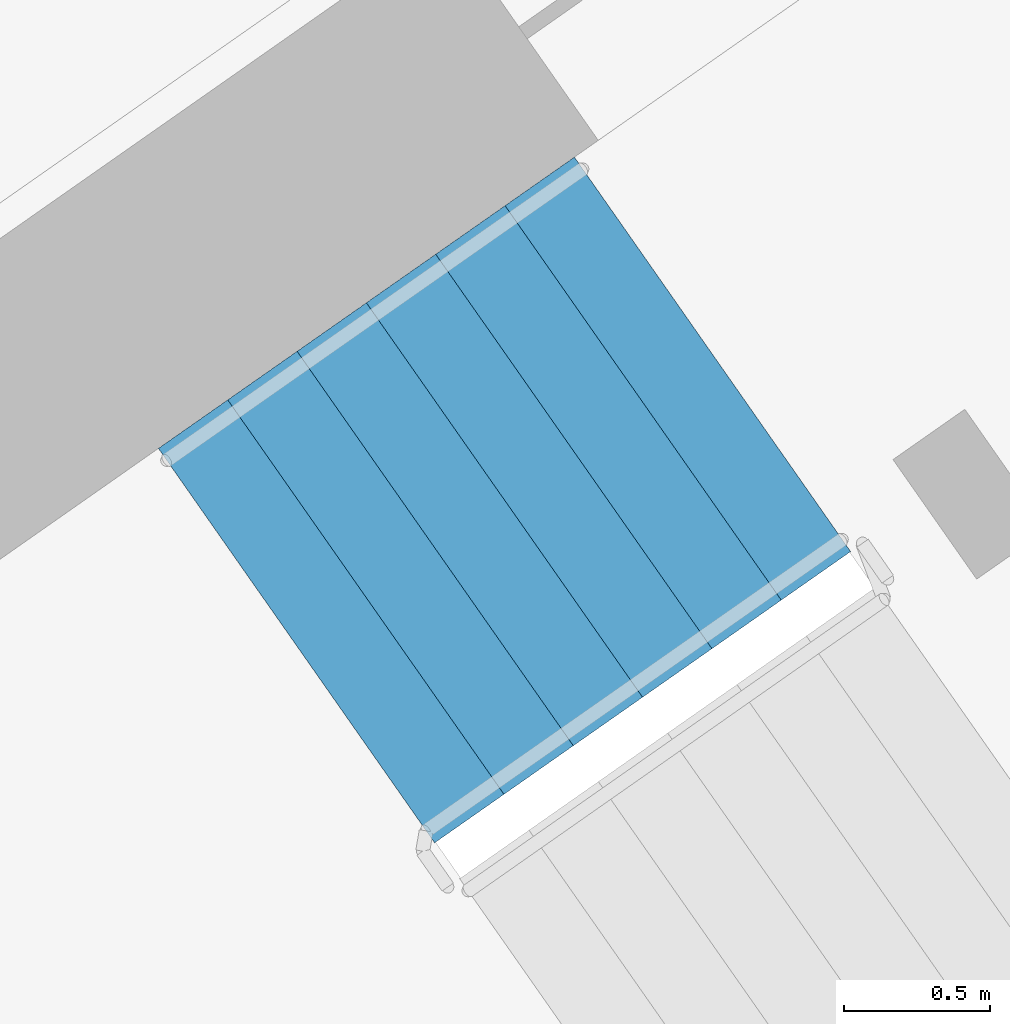
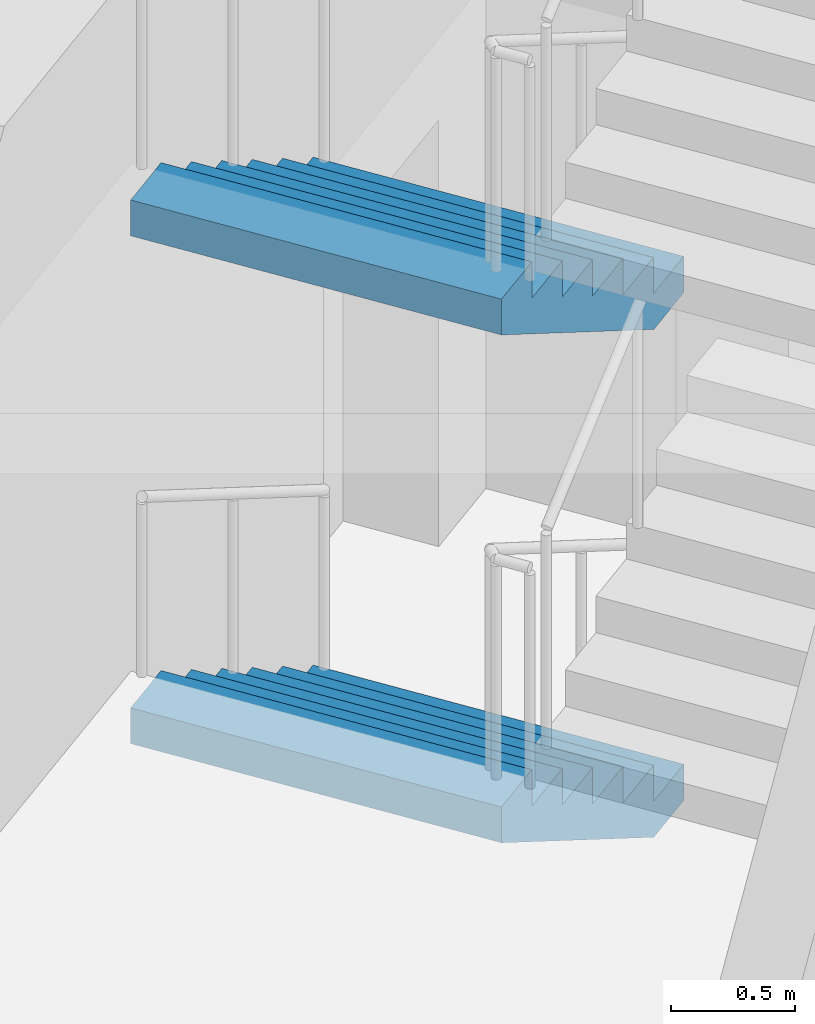
# One storey, part 18 of 25: 2 stair flights, 1 element without a shape of its own.
"""IFC4 building model written with IfcOpenShell, lengths in metres."""

import ifcopenshell
import ifcopenshell.guid

model = None  # the IFC model being written
_history = None  # IfcOwnerHistory: only IFC2X3 demands one
_inside = {}  # id of a spatial element -> (the spatial element, [elements in it])
_under = {}  # id of a project, library or spatial element -> (it, [spatial elements below it])
_declared = {}  # id of a project -> (the project, [libraries it declares])
_typed = {}  # id of a type object -> (the type object, [elements of that type])
_made_of = {}  # id of a material, layer set ... -> (it, [elements and type objects made of it])


def new_model(schema):
    """Start an empty IFC model of exactly this schema.

    Asked for "IFC4X3", IfcOpenShell would pick the latest addendum, in which some entities
    have other attributes; the version numbers below select the first issue.
    IFC2X3 requires an IfcOwnerHistory on every rooted entity: one is made here for all.
    """
    global model, _history
    if schema == "IFC4X3":
        model = ifcopenshell.file(schema_version=(4, 3, 0, 0))
    else:
        model = ifcopenshell.file(schema=schema)
    _inside.clear()
    _under.clear()
    _declared.clear()
    _typed.clear()
    _made_of.clear()
    _history = None
    if model.schema == "IFC2X3":
        org = make("IfcOrganization", Name="unknown")
        user = make(
            "IfcPersonAndOrganization",
            ThePerson=make("IfcPerson", FamilyName="unknown"),
            TheOrganization=org,
        )
        app = make(
            "IfcApplication",
            ApplicationDeveloper=org,
            Version="unknown",
            ApplicationFullName="unknown",
            ApplicationIdentifier="unknown",
        )
        _history = make(
            "IfcOwnerHistory",
            OwningUser=user,
            OwningApplication=app,
            ChangeAction="ADDED",
            CreationDate=0,
        )
    return model


def make(cls, **values):
    """One entity of the class cls with the attributes given. An attribute that is None is left unset."""
    return model.create_entity(
        cls, **{name: value for name, value in values.items() if value is not None}
    )


def rooted(cls, **values):
    """An entity with a GlobalId (a new one), such as an element, a storey or a relation."""
    return make(cls, GlobalId=ifcopenshell.guid.new(), OwnerHistory=_history, **values)


def si_unit(unit_type, name, prefix=None):
    """IfcSIUnit, for example si_unit("LENGTHUNIT", "METRE", prefix="MILLI")."""
    return make("IfcSIUnit", UnitType=unit_type, Prefix=prefix, Name=name)


def assignment(units):
    """IfcUnitAssignment: the units of a project."""
    return None if units is None else make("IfcUnitAssignment", Units=units)


def point(xyz):
    """IfcCartesianPoint."""
    return None if xyz is None else make("IfcCartesianPoint", Coordinates=xyz)


def direction(xyz):
    """IfcDirection."""
    return None if xyz is None else make("IfcDirection", DirectionRatios=xyz)


def frame(location, z_axis=None, x_axis=None):
    """IfcAxis2Placement3D, a coordinate frame: its origin and axes. An axis left out is left unset."""
    return make(
        "IfcAxis2Placement3D",
        Location=point(location),
        Axis=direction(z_axis),
        RefDirection=direction(x_axis),
    )


def origin():
    """The frame at (0, 0, 0) with its axes left unset."""
    return frame((0.0, 0.0, 0.0))


def place(relative_to, where):
    """IfcLocalPlacement: puts the frame where relative to a parent placement (None: the world)."""
    return make(
        "IfcLocalPlacement", PlacementRelTo=relative_to, RelativePlacement=where
    )


def context(
    kind, dimensions, precision=None, world=None, true_north=None, identifier=None
):
    """IfcGeometricRepresentationContext, for example the 3D "Model" context."""
    return make(
        "IfcGeometricRepresentationContext",
        ContextIdentifier=identifier,
        ContextType=kind,
        CoordinateSpaceDimension=dimensions,
        Precision=precision,
        WorldCoordinateSystem=world,
        TrueNorth=true_north,
    )


def subcontext(parent, identifier, kind, view, scale=None):
    """IfcGeometricRepresentationSubContext, for example "Body" below "Model"."""
    return make(
        "IfcGeometricRepresentationSubContext",
        ContextIdentifier=identifier,
        ContextType=kind,
        ParentContext=parent,
        TargetScale=scale,
        TargetView=view,
    )


def project(units=None, contexts=None):
    """IfcProject with its units and contexts."""
    return rooted(
        "IfcProject",
        Name="project",
        RepresentationContexts=contexts,
        UnitsInContext=assignment(units),
    )


def spatial(cls, under=None, at=None, **own):
    """A site, building, storey or space (cls), placed at a placement, below another one or the project."""
    s = rooted(cls, ObjectPlacement=at, **own)
    if under is not None:
        _under.setdefault(under.id(), (under, []))[1].append(s)
    return s


def faces_of(points, faces, orient=None, outer=None):
    """IfcFace entities. A face is a list of loops; a loop is a list of indices into points, from 0.

    orient and outer hold one flag for each loop. By default every Orientation is true, the
    first loop of a face is its IfcFaceOuterBound and the others are IfcFaceBound.
    """
    made = []
    for i, loops in enumerate(faces):
        bounds = []
        for j, loop in enumerate(loops):
            is_outer = j == 0 if outer is None else outer[i][j]
            bounds.append(
                make(
                    "IfcFaceOuterBound" if is_outer else "IfcFaceBound",
                    Bound=make("IfcPolyLoop", Polygon=[points[k] for k in loop]),
                    Orientation=True if orient is None else orient[i][j],
                )
            )
        made.append(make("IfcFace", Bounds=bounds))
    return made


def faceted_brep(points, faces, orient=None, outer=None, voids=None):
    """IfcFacetedBrep: a solid bounded by flat faces; with voids (closed shells), ...WithVoids."""
    shared = [point(p) for p in points]
    hull = make("IfcClosedShell", CfsFaces=faces_of(shared, faces, orient, outer))
    if voids is None:
        return make("IfcFacetedBrep", Outer=hull)
    return make(
        "IfcFacetedBrepWithVoids",
        Outer=hull,
        Voids=[
            make(cls, CfsFaces=faces_of(shared, fs, o, b)) for cls, fs, o, b in voids
        ],
    )


def shape(context_of_items, identifier, shape_type, items):
    """IfcShapeRepresentation: the items that make up one representation, for example the "Body"."""
    return make(
        "IfcShapeRepresentation",
        ContextOfItems=context_of_items,
        RepresentationIdentifier=identifier,
        RepresentationType=shape_type,
        Items=items,
    )


def material(Name=None, Category=None):
    """IfcMaterial."""
    return make("IfcMaterial", Name=Name, Category=Category)


def made_of(thing, what):
    """Note that an element or type object is made of a material, layer set ...; save() writes the relation."""
    if what is not None:
        _made_of.setdefault(what.id(), (what, []))[1].append(thing)
    return thing


def type_object(cls, material=None, **own):
    """A type object (cls), such as IfcWallType, which elements share."""
    return made_of(rooted(cls, **own), material)


def element(
    cls,
    number,
    at=None,
    inside=None,
    cuts=None,
    type_object=None,
    material=None,
    context=None,
    identifier="Body",
    shape_type=None,
    held_by="IfcProductDefinitionShape",
    body=None,
    shapes=None,
    **own,
):
    """One element of the class cls, such as IfcWall. Its Tag is "e" and its number.

    at: its placement. inside: the storey or other place that contains it. cuts: it is an
    opening in that element (IfcRelVoidsElement). A single representation is given by context,
    identifier, shape_type and body (its items); several are given by shapes. held_by: the class
    of the entity that holds the representations. save() writes the other relations.
    """
    e = rooted(cls, Tag="e%d" % number, ObjectPlacement=at, **own)
    if body is not None:
        shapes = [shape(context, identifier, shape_type, body)]
    if shapes is not None:
        e.Representation = make(held_by, Representations=shapes)
    if inside is not None:
        _inside.setdefault(inside.id(), (inside, []))[1].append(e)
    if cuts is not None:
        rooted(
            "IfcRelVoidsElement", RelatingBuildingElement=cuts, RelatedOpeningElement=e
        )
    if type_object is not None:
        _typed.setdefault(type_object.id(), (type_object, []))[1].append(e)
    return made_of(e, material)


def aggregate(whole, parts):
    """IfcRelAggregates: a whole, such as a stair, and the parts it consists of."""
    return rooted("IfcRelAggregates", RelatingObject=whole, RelatedObjects=parts)


def save(model, path):
    """Write the relations noted so far, then the file.

    IfcRelAggregates (storeys below a building ...), IfcRelContainedInSpatialStructure (elements
    in a storey), IfcRelDefinesByType, IfcRelAssociatesMaterial and IfcRelDeclares: one each for
    every whole, place, type object, material and project.
    """
    for whole, parts in _under.values():
        aggregate(whole, parts)
    for where, things in _inside.values():
        rooted(
            "IfcRelContainedInSpatialStructure",
            RelatedElements=things,
            RelatingStructure=where,
        )
    for kind, things in _typed.values():
        rooted("IfcRelDefinesByType", RelatedObjects=things, RelatingType=kind)
    for what, things in _made_of.values():
        rooted("IfcRelAssociatesMaterial", RelatedObjects=things, RelatingMaterial=what)
    for by, libraries in _declared.values():
        rooted("IfcRelDeclares", RelatingContext=by, RelatedDefinitions=libraries)
    model.write(path)


model = new_model("IFC4")

# Units and contexts
model_context = context("Model", 3, precision=1e-05, world=origin(), true_north=direction((0.0, 1.0)))
body_context = subcontext(model_context, "Body", "Model", "MODEL_VIEW")
ifc_project = project(units=[si_unit("LENGTHUNIT", "METRE"), si_unit("AREAUNIT", "SQUARE_METRE"), si_unit("VOLUMEUNIT", "CUBIC_METRE"), si_unit("PLANEANGLEUNIT", "RADIAN"), si_unit("MASSUNIT", "GRAM", prefix="KILO")], contexts=[model_context])

# Site, building, storey
site_placement = place(None, origin())
site = spatial("IfcSite", under=ifc_project, at=site_placement, CompositionType="ELEMENT")
building_placement = place(site_placement, origin())
building = spatial("IfcBuilding", under=site, at=building_placement, Name="Qamariyya Broadcast Tower", CompositionType="ELEMENT")
storey_placement = place(building_placement, frame((0.0, 0.0, 89.89990234375)))
storey = spatial("IfcBuildingStorey", under=building, at=storey_placement, Name="L19", CompositionType="ELEMENT", Elevation=89.89990234375)

# Stair, stair flights
ifc_material = material(Name="Concrete C50/60", Category="concrete")
stair_type = type_object("IfcStairType", Name="Exit stair 28 risers of 179 mm", PredefinedType="HALF_TURN_STAIR", material=ifc_material)
stair_placement = place(storey_placement, origin())
stair = element("IfcStair", 1, at=stair_placement, inside=storey, type_object=stair_type, Name="L19 Stair E2", PredefinedType="HALF_TURN_STAIR")
stair_flight_type = type_object("IfcStairFlightType", Name="Exit stair flight 7 risers of 179 mm", PredefinedType="STRAIGHT", material=ifc_material)
stair_flight_1_placement = place(storey_placement, frame((40.558837890625, -47.685302734375, 0.0), z_axis=(0.0, 0.0, 1.0), x_axis=(-0.819152044289, -0.573576436351, 0.0)))
stair_flight_1 = element("IfcStairFlight", 2, at=stair_flight_1_placement, type_object=stair_flight_type, Name="ST-E2 flight 1", NumberOfRisers=7, NumberOfTreads=6, PredefinedType="STRAIGHT", RiserHeight=0.178571429, TreadLength=0.29, context=body_context, shape_type="Brep", body=[
    faceted_brep([(0.0, 0.824951171875, 0.0), (0.0, 0.824951171875, 0.178466796875), (0.2900390625, 0.824951171875, 0.178466796875), (0.2900390625, 0.824951171875, 0.357177734375), (0.580078125, 0.824951171875, 0.357177734375), (0.580078125, 0.824951171875, 0.53564453125), (0.8701171875, 0.824951171875, 0.53564453125), (0.8701171875, 0.824951171875, 0.71435546875), (1.159912109375, 0.824951171875, 0.71435546875), (1.159912109375, 0.824951171875, 0.892822265625), (1.449951171875, 0.824951171875, 0.892822265625), (1.449951171875, 0.824951171875, 1.071533203125), (1.739990234375, 0.824951171875, 1.071533203125), (1.739990234375, 0.824951171875, 0.8955078125), (0.285888671875, 0.824951171875, 0.0), (0.285888671875, -0.824951171875, 0.0), (1.739990234375, -0.824951171875, 0.8955078125), (1.739990234375, -0.824951171875, 1.071533203125), (1.449951171875, -0.824951171875, 1.071533203125), (1.449951171875, -0.824951171875, 0.892822265625), (1.159912109375, -0.824951171875, 0.892822265625), (1.159912109375, -0.824951171875, 0.71435546875), (0.8701171875, -0.824951171875, 0.71435546875), (0.8701171875, -0.824951171875, 0.53564453125), (0.580078125, -0.824951171875, 0.53564453125), (0.580078125, -0.824951171875, 0.357177734375), (0.2900390625, -0.824951171875, 0.357177734375), (0.2900390625, -0.824951171875, 0.178466796875), (0.0, -0.824951171875, 0.178466796875), (0.0, -0.824951171875, 0.0), (0.0, 0.10009765625, 0.0), (0.0, 0.086669921875, 0.0), (0.0, 0.0732421875, 0.0), (0.0, 0.06005859375, 0.0), (0.0, 0.046630859375, 0.0), (0.0, 0.033447265625, 0.0), (0.0, 0.02001953125, 0.0), (0.0, 0.006591796875, 0.0), (0.0, -0.006591796875, 0.0), (0.0, -0.02001953125, 0.0), (0.0, -0.033447265625, 0.0), (0.0, -0.046630859375, 0.0), (0.0, -0.06005859375, 0.0), (0.0, -0.0732421875, 0.0), (0.0, -0.086669921875, 0.0), (0.0, -0.10009765625, 0.0), (0.0, -0.10009765625, 0.178466796875), (0.0, -0.086669921875, 0.178466796875), (0.0, -0.0732421875, 0.178466796875), (0.0, -0.06005859375, 0.178466796875), (0.0, -0.046630859375, 0.178466796875), (0.0, -0.033447265625, 0.178466796875), (0.0, -0.02001953125, 0.178466796875), (0.0, -0.006591796875, 0.178466796875), (0.0, 0.006591796875, 0.178466796875), (0.0, 0.02001953125, 0.178466796875), (0.0, 0.033447265625, 0.178466796875), (0.0, 0.046630859375, 0.178466796875), (0.0, 0.06005859375, 0.178466796875), (0.0, 0.0732421875, 0.178466796875), (0.0, 0.086669921875, 0.178466796875), (0.0, 0.10009765625, 0.178466796875), (0.2900390625, -0.10009765625, 0.178466796875), (0.2900390625, -0.086669921875, 0.178466796875), (0.2900390625, -0.0732421875, 0.178466796875), (0.2900390625, -0.06005859375, 0.178466796875), (0.2900390625, -0.046630859375, 0.178466796875), (0.2900390625, -0.033447265625, 0.178466796875), (0.2900390625, -0.02001953125, 0.178466796875), (0.2900390625, -0.006591796875, 0.178466796875), (0.2900390625, 0.006591796875, 0.178466796875), (0.2900390625, 0.02001953125, 0.178466796875), (0.2900390625, 0.033447265625, 0.178466796875), (0.2900390625, 0.046630859375, 0.178466796875), (0.2900390625, 0.06005859375, 0.178466796875), (0.2900390625, 0.0732421875, 0.178466796875), (0.2900390625, 0.086669921875, 0.178466796875), (0.2900390625, 0.10009765625, 0.178466796875), (0.2900390625, -0.10009765625, 0.357177734375), (0.2900390625, -0.086669921875, 0.357177734375), (0.2900390625, -0.0732421875, 0.357177734375), (0.2900390625, -0.06005859375, 0.357177734375), (0.2900390625, -0.046630859375, 0.357177734375), (0.2900390625, -0.033447265625, 0.357177734375), (0.2900390625, -0.02001953125, 0.357177734375), (0.2900390625, -0.006591796875, 0.357177734375), (0.2900390625, 0.006591796875, 0.357177734375), (0.2900390625, 0.02001953125, 0.357177734375), (0.2900390625, 0.033447265625, 0.357177734375), (0.2900390625, 0.046630859375, 0.357177734375), (0.2900390625, 0.06005859375, 0.357177734375), (0.2900390625, 0.0732421875, 0.357177734375), (0.2900390625, 0.086669921875, 0.357177734375), (0.2900390625, 0.10009765625, 0.357177734375), (0.580078125, -0.10009765625, 0.357177734375), (0.580078125, -0.086669921875, 0.357177734375), (0.580078125, -0.0732421875, 0.357177734375), (0.580078125, -0.06005859375, 0.357177734375), (0.580078125, -0.046630859375, 0.357177734375), (0.580078125, -0.033447265625, 0.357177734375), (0.580078125, -0.02001953125, 0.357177734375), (0.580078125, -0.006591796875, 0.357177734375), (0.580078125, 0.006591796875, 0.357177734375), (0.580078125, 0.02001953125, 0.357177734375), (0.580078125, 0.033447265625, 0.357177734375), (0.580078125, 0.046630859375, 0.357177734375), (0.580078125, 0.06005859375, 0.357177734375), (0.580078125, 0.0732421875, 0.357177734375), (0.580078125, 0.086669921875, 0.357177734375), (0.580078125, 0.10009765625, 0.357177734375), (0.580078125, -0.10009765625, 0.53564453125), (0.580078125, -0.086669921875, 0.53564453125), (0.580078125, -0.0732421875, 0.53564453125), (0.580078125, -0.06005859375, 0.53564453125), (0.580078125, -0.046630859375, 0.53564453125), (0.580078125, -0.033447265625, 0.53564453125), (0.580078125, -0.02001953125, 0.53564453125), (0.580078125, -0.006591796875, 0.53564453125), (0.580078125, 0.006591796875, 0.53564453125), (0.580078125, 0.02001953125, 0.53564453125), (0.580078125, 0.033447265625, 0.53564453125), (0.580078125, 0.046630859375, 0.53564453125), (0.580078125, 0.06005859375, 0.53564453125), (0.580078125, 0.0732421875, 0.53564453125), (0.580078125, 0.086669921875, 0.53564453125), (0.580078125, 0.10009765625, 0.53564453125), (0.8701171875, -0.10009765625, 0.53564453125), (0.8701171875, -0.086669921875, 0.53564453125), (0.8701171875, -0.0732421875, 0.53564453125), (0.8701171875, -0.06005859375, 0.53564453125), (0.8701171875, -0.046630859375, 0.53564453125), (0.8701171875, -0.033447265625, 0.53564453125), (0.8701171875, -0.02001953125, 0.53564453125), (0.8701171875, -0.006591796875, 0.53564453125), (0.8701171875, 0.006591796875, 0.53564453125), (0.8701171875, 0.02001953125, 0.53564453125), (0.8701171875, 0.033447265625, 0.53564453125), (0.8701171875, 0.046630859375, 0.53564453125), (0.8701171875, 0.06005859375, 0.53564453125), (0.8701171875, 0.0732421875, 0.53564453125), (0.8701171875, 0.086669921875, 0.53564453125), (0.8701171875, 0.10009765625, 0.53564453125), (0.8701171875, -0.10009765625, 0.71435546875), (0.8701171875, -0.086669921875, 0.71435546875), (0.8701171875, -0.0732421875, 0.71435546875), (0.8701171875, -0.06005859375, 0.71435546875), (0.8701171875, -0.046630859375, 0.71435546875), (0.8701171875, -0.033447265625, 0.71435546875), (0.8701171875, -0.02001953125, 0.71435546875), (0.8701171875, -0.006591796875, 0.71435546875), (0.8701171875, 0.006591796875, 0.71435546875), (0.8701171875, 0.02001953125, 0.71435546875), (0.8701171875, 0.033447265625, 0.71435546875), (0.8701171875, 0.046630859375, 0.71435546875), (0.8701171875, 0.06005859375, 0.71435546875), (0.8701171875, 0.0732421875, 0.71435546875), (0.8701171875, 0.086669921875, 0.71435546875), (0.8701171875, 0.10009765625, 0.71435546875), (1.159912109375, -0.10009765625, 0.71435546875), (1.159912109375, -0.086669921875, 0.71435546875), (1.159912109375, -0.0732421875, 0.71435546875), (1.159912109375, -0.06005859375, 0.71435546875), (1.159912109375, -0.046630859375, 0.71435546875), (1.159912109375, -0.033447265625, 0.71435546875), (1.159912109375, -0.02001953125, 0.71435546875), (1.159912109375, -0.006591796875, 0.71435546875), (1.159912109375, 0.006591796875, 0.71435546875), (1.159912109375, 0.02001953125, 0.71435546875), (1.159912109375, 0.033447265625, 0.71435546875), (1.159912109375, 0.046630859375, 0.71435546875), (1.159912109375, 0.06005859375, 0.71435546875), (1.159912109375, 0.0732421875, 0.71435546875), (1.159912109375, 0.086669921875, 0.71435546875), (1.159912109375, 0.10009765625, 0.71435546875), (1.159912109375, -0.10009765625, 0.892822265625), (1.159912109375, -0.086669921875, 0.892822265625), (1.159912109375, -0.0732421875, 0.892822265625), (1.159912109375, -0.06005859375, 0.892822265625), (1.159912109375, -0.046630859375, 0.892822265625), (1.159912109375, -0.033447265625, 0.892822265625), (1.159912109375, -0.02001953125, 0.892822265625), (1.159912109375, -0.006591796875, 0.892822265625), (1.159912109375, 0.006591796875, 0.892822265625), (1.159912109375, 0.02001953125, 0.892822265625), (1.159912109375, 0.033447265625, 0.892822265625), (1.159912109375, 0.046630859375, 0.892822265625), (1.159912109375, 0.06005859375, 0.892822265625), (1.159912109375, 0.0732421875, 0.892822265625), (1.159912109375, 0.086669921875, 0.892822265625), (1.159912109375, 0.10009765625, 0.892822265625), (1.449951171875, -0.10009765625, 0.892822265625), (1.449951171875, -0.086669921875, 0.892822265625), (1.449951171875, -0.0732421875, 0.892822265625), (1.449951171875, -0.06005859375, 0.892822265625), (1.449951171875, -0.046630859375, 0.892822265625), (1.449951171875, -0.033447265625, 0.892822265625), (1.449951171875, -0.02001953125, 0.892822265625), (1.449951171875, -0.006591796875, 0.892822265625), (1.449951171875, 0.006591796875, 0.892822265625), (1.449951171875, 0.02001953125, 0.892822265625), (1.449951171875, 0.033447265625, 0.892822265625), (1.449951171875, 0.046630859375, 0.892822265625), (1.449951171875, 0.06005859375, 0.892822265625), (1.449951171875, 0.0732421875, 0.892822265625), (1.449951171875, 0.086669921875, 0.892822265625), (1.449951171875, 0.10009765625, 0.892822265625), (1.449951171875, -0.10009765625, 1.071533203125), (1.449951171875, -0.086669921875, 1.071533203125), (1.449951171875, -0.0732421875, 1.071533203125), (1.449951171875, -0.06005859375, 1.071533203125), (1.449951171875, -0.046630859375, 1.071533203125), (1.449951171875, -0.033447265625, 1.071533203125), (1.449951171875, -0.02001953125, 1.071533203125), (1.449951171875, -0.006591796875, 1.071533203125), (1.449951171875, 0.006591796875, 1.071533203125), (1.449951171875, 0.02001953125, 1.071533203125), (1.449951171875, 0.033447265625, 1.071533203125), (1.449951171875, 0.046630859375, 1.071533203125), (1.449951171875, 0.06005859375, 1.071533203125), (1.449951171875, 0.0732421875, 1.071533203125), (1.449951171875, 0.086669921875, 1.071533203125), (1.449951171875, 0.10009765625, 1.071533203125), (1.739990234375, -0.10009765625, 1.071533203125), (1.739990234375, -0.086669921875, 1.071533203125), (1.739990234375, -0.0732421875, 1.071533203125), (1.739990234375, -0.06005859375, 1.071533203125), (1.739990234375, -0.046630859375, 1.071533203125), (1.739990234375, -0.033447265625, 1.071533203125), (1.739990234375, -0.02001953125, 1.071533203125), (1.739990234375, -0.006591796875, 1.071533203125), (1.739990234375, 0.006591796875, 1.071533203125), (1.739990234375, 0.02001953125, 1.071533203125), (1.739990234375, 0.033447265625, 1.071533203125), (1.739990234375, 0.046630859375, 1.071533203125), (1.739990234375, 0.06005859375, 1.071533203125), (1.739990234375, 0.0732421875, 1.071533203125), (1.739990234375, 0.086669921875, 1.071533203125), (1.739990234375, 0.10009765625, 1.071533203125), (1.739990234375, -0.10009765625, 0.8955078125), (1.739990234375, -0.086669921875, 0.8955078125), (1.739990234375, -0.0732421875, 0.8955078125), (1.739990234375, -0.06005859375, 0.8955078125), (1.739990234375, -0.046630859375, 0.8955078125), (1.739990234375, -0.033447265625, 0.8955078125), (1.739990234375, -0.02001953125, 0.8955078125), (1.739990234375, -0.006591796875, 0.8955078125), (1.739990234375, 0.006591796875, 0.8955078125), (1.739990234375, 0.02001953125, 0.8955078125), (1.739990234375, 0.033447265625, 0.8955078125), (1.739990234375, 0.046630859375, 0.8955078125), (1.739990234375, 0.06005859375, 0.8955078125), (1.739990234375, 0.0732421875, 0.8955078125), (1.739990234375, 0.086669921875, 0.8955078125), (1.739990234375, 0.10009765625, 0.8955078125), (0.285888671875, -0.10009765625, 0.0), (0.285888671875, -0.086669921875, 0.0), (0.285888671875, -0.0732421875, 0.0), (0.285888671875, -0.06005859375, 0.0), (0.285888671875, -0.046630859375, 0.0), (0.285888671875, -0.033447265625, 0.0), (0.285888671875, -0.02001953125, 0.0), (0.285888671875, -0.006591796875, 0.0), (0.285888671875, 0.006591796875, 0.0), (0.285888671875, 0.02001953125, 0.0), (0.285888671875, 0.033447265625, 0.0), (0.285888671875, 0.046630859375, 0.0), (0.285888671875, 0.06005859375, 0.0), (0.285888671875, 0.0732421875, 0.0), (0.285888671875, 0.086669921875, 0.0), (0.285888671875, 0.10009765625, 0.0)], [[[0, 1, 2, 3, 4, 5, 6, 7, 8, 9, 10, 11, 12, 13, 14]], [[15, 16, 17, 18, 19, 20, 21, 22, 23, 24, 25, 26, 27, 28, 29]], [[0, 30, 31, 32, 33, 34, 35, 36, 37, 38, 39, 40, 41, 42, 43, 44, 45, 29, 28, 46, 47, 48, 49, 50, 51, 52, 53, 54, 55, 56, 57, 58, 59, 60, 61, 1]], [[1, 61, 60, 59, 58, 57, 56, 55, 54, 53, 52, 51, 50, 49, 48, 47, 46, 28, 27, 62, 63, 64, 65, 66, 67, 68, 69, 70, 71, 72, 73, 74, 75, 76, 77, 2]], [[2, 77, 76, 75, 74, 73, 72, 71, 70, 69, 68, 67, 66, 65, 64, 63, 62, 27, 26, 78, 79, 80, 81, 82, 83, 84, 85, 86, 87, 88, 89, 90, 91, 92, 93, 3]], [[3, 93, 92, 91, 90, 89, 88, 87, 86, 85, 84, 83, 82, 81, 80, 79, 78, 26, 25, 94, 95, 96, 97, 98, 99, 100, 101, 102, 103, 104, 105, 106, 107, 108, 109, 4]], [[4, 109, 108, 107, 106, 105, 104, 103, 102, 101, 100, 99, 98, 97, 96, 95, 94, 25, 24, 110, 111, 112, 113, 114, 115, 116, 117, 118, 119, 120, 121, 122, 123, 124, 125, 5]], [[5, 125, 124, 123, 122, 121, 120, 119, 118, 117, 116, 115, 114, 113, 112, 111, 110, 24, 23, 126, 127, 128, 129, 130, 131, 132, 133, 134, 135, 136, 137, 138, 139, 140, 141, 6]], [[6, 141, 140, 139, 138, 137, 136, 135, 134, 133, 132, 131, 130, 129, 128, 127, 126, 23, 22, 142, 143, 144, 145, 146, 147, 148, 149, 150, 151, 152, 153, 154, 155, 156, 157, 7]], [[7, 157, 156, 155, 154, 153, 152, 151, 150, 149, 148, 147, 146, 145, 144, 143, 142, 22, 21, 158, 159, 160, 161, 162, 163, 164, 165, 166, 167, 168, 169, 170, 171, 172, 173, 8]], [[8, 173, 172, 171, 170, 169, 168, 167, 166, 165, 164, 163, 162, 161, 160, 159, 158, 21, 20, 174, 175, 176, 177, 178, 179, 180, 181, 182, 183, 184, 185, 186, 187, 188, 189, 9]], [[9, 189, 188, 187, 186, 185, 184, 183, 182, 181, 180, 179, 178, 177, 176, 175, 174, 20, 19, 190, 191, 192, 193, 194, 195, 196, 197, 198, 199, 200, 201, 202, 203, 204, 205, 10]], [[10, 205, 204, 203, 202, 201, 200, 199, 198, 197, 196, 195, 194, 193, 192, 191, 190, 19, 18, 206, 207, 208, 209, 210, 211, 212, 213, 214, 215, 216, 217, 218, 219, 220, 221, 11]], [[11, 221, 220, 219, 218, 217, 216, 215, 214, 213, 212, 211, 210, 209, 208, 207, 206, 18, 17, 222, 223, 224, 225, 226, 227, 228, 229, 230, 231, 232, 233, 234, 235, 236, 237, 12]], [[12, 237, 236, 235, 234, 233, 232, 231, 230, 229, 228, 227, 226, 225, 224, 223, 222, 17, 16, 238, 239, 240, 241, 242, 243, 244, 245, 246, 247, 248, 249, 250, 251, 252, 253, 13]], [[13, 253, 252, 251, 250, 249, 248, 247, 246, 245, 244, 243, 242, 241, 240, 239, 238, 16, 15, 254, 255, 256, 257, 258, 259, 260, 261, 262, 263, 264, 265, 266, 267, 268, 269, 14]], [[14, 269, 268, 267, 266, 265, 264, 263, 262, 261, 260, 259, 258, 257, 256, 255, 254, 15, 29, 45, 44, 43, 42, 41, 40, 39, 38, 37, 36, 35, 34, 33, 32, 31, 30, 0]]]),
])
stair_flight_2_placement = place(storey_placement, frame((40.558837890625, -47.685302734375, 2.5), z_axis=(0.0, 0.0, 1.0), x_axis=(-0.819152044289, -0.573576436351, 0.0)))
stair_flight_2 = element("IfcStairFlight", 3, at=stair_flight_2_placement, type_object=stair_flight_type, Name="ST-E2 flight 3", NumberOfRisers=7, NumberOfTreads=6, PredefinedType="STRAIGHT", RiserHeight=0.178571429, TreadLength=0.29, context=body_context, shape_type="Brep", body=[
    faceted_brep([(0.0, 0.824951171875, 0.0), (0.0, 0.824951171875, 0.178466796875), (0.2900390625, 0.824951171875, 0.178466796875), (0.2900390625, 0.824951171875, 0.357177734375), (0.580078125, 0.824951171875, 0.357177734375), (0.580078125, 0.824951171875, 0.53564453125), (0.8701171875, 0.824951171875, 0.53564453125), (0.8701171875, 0.824951171875, 0.71435546875), (1.159912109375, 0.824951171875, 0.71435546875), (1.159912109375, 0.824951171875, 0.892822265625), (1.449951171875, 0.824951171875, 0.892822265625), (1.449951171875, 0.824951171875, 1.071533203125), (1.739990234375, 0.824951171875, 1.071533203125), (1.739990234375, 0.824951171875, 0.8955078125), (0.285888671875, 0.824951171875, 0.0), (0.285888671875, -0.824951171875, 0.0), (1.739990234375, -0.824951171875, 0.8955078125), (1.739990234375, -0.824951171875, 1.071533203125), (1.449951171875, -0.824951171875, 1.071533203125), (1.449951171875, -0.824951171875, 0.892822265625), (1.159912109375, -0.824951171875, 0.892822265625), (1.159912109375, -0.824951171875, 0.71435546875), (0.8701171875, -0.824951171875, 0.71435546875), (0.8701171875, -0.824951171875, 0.53564453125), (0.580078125, -0.824951171875, 0.53564453125), (0.580078125, -0.824951171875, 0.357177734375), (0.2900390625, -0.824951171875, 0.357177734375), (0.2900390625, -0.824951171875, 0.178466796875), (0.0, -0.824951171875, 0.178466796875), (0.0, -0.824951171875, 0.0), (0.0, 0.10009765625, 0.0), (0.0, 0.086669921875, 0.0), (0.0, 0.0732421875, 0.0), (0.0, 0.06005859375, 0.0), (0.0, 0.046630859375, 0.0), (0.0, 0.033447265625, 0.0), (0.0, 0.02001953125, 0.0), (0.0, 0.006591796875, 0.0), (0.0, -0.006591796875, 0.0), (0.0, -0.02001953125, 0.0), (0.0, -0.033447265625, 0.0), (0.0, -0.046630859375, 0.0), (0.0, -0.06005859375, 0.0), (0.0, -0.0732421875, 0.0), (0.0, -0.086669921875, 0.0), (0.0, -0.10009765625, 0.0), (0.0, -0.10009765625, 0.178466796875), (0.0, -0.086669921875, 0.178466796875), (0.0, -0.0732421875, 0.178466796875), (0.0, -0.06005859375, 0.178466796875), (0.0, -0.046630859375, 0.178466796875), (0.0, -0.033447265625, 0.178466796875), (0.0, -0.02001953125, 0.178466796875), (0.0, -0.006591796875, 0.178466796875), (0.0, 0.006591796875, 0.178466796875), (0.0, 0.02001953125, 0.178466796875), (0.0, 0.033447265625, 0.178466796875), (0.0, 0.046630859375, 0.178466796875), (0.0, 0.06005859375, 0.178466796875), (0.0, 0.0732421875, 0.178466796875), (0.0, 0.086669921875, 0.178466796875), (0.0, 0.10009765625, 0.178466796875), (0.2900390625, -0.10009765625, 0.178466796875), (0.2900390625, -0.086669921875, 0.178466796875), (0.2900390625, -0.0732421875, 0.178466796875), (0.2900390625, -0.06005859375, 0.178466796875), (0.2900390625, -0.046630859375, 0.178466796875), (0.2900390625, -0.033447265625, 0.178466796875), (0.2900390625, -0.02001953125, 0.178466796875), (0.2900390625, -0.006591796875, 0.178466796875), (0.2900390625, 0.006591796875, 0.178466796875), (0.2900390625, 0.02001953125, 0.178466796875), (0.2900390625, 0.033447265625, 0.178466796875), (0.2900390625, 0.046630859375, 0.178466796875), (0.2900390625, 0.06005859375, 0.178466796875), (0.2900390625, 0.0732421875, 0.178466796875), (0.2900390625, 0.086669921875, 0.178466796875), (0.2900390625, 0.10009765625, 0.178466796875), (0.2900390625, -0.10009765625, 0.357177734375), (0.2900390625, -0.086669921875, 0.357177734375), (0.2900390625, -0.0732421875, 0.357177734375), (0.2900390625, -0.06005859375, 0.357177734375), (0.2900390625, -0.046630859375, 0.357177734375), (0.2900390625, -0.033447265625, 0.357177734375), (0.2900390625, -0.02001953125, 0.357177734375), (0.2900390625, -0.006591796875, 0.357177734375), (0.2900390625, 0.006591796875, 0.357177734375), (0.2900390625, 0.02001953125, 0.357177734375), (0.2900390625, 0.033447265625, 0.357177734375), (0.2900390625, 0.046630859375, 0.357177734375), (0.2900390625, 0.06005859375, 0.357177734375), (0.2900390625, 0.0732421875, 0.357177734375), (0.2900390625, 0.086669921875, 0.357177734375), (0.2900390625, 0.10009765625, 0.357177734375), (0.580078125, -0.10009765625, 0.357177734375), (0.580078125, -0.086669921875, 0.357177734375), (0.580078125, -0.0732421875, 0.357177734375), (0.580078125, -0.06005859375, 0.357177734375), (0.580078125, -0.046630859375, 0.357177734375), (0.580078125, -0.033447265625, 0.357177734375), (0.580078125, -0.02001953125, 0.357177734375), (0.580078125, -0.006591796875, 0.357177734375), (0.580078125, 0.006591796875, 0.357177734375), (0.580078125, 0.02001953125, 0.357177734375), (0.580078125, 0.033447265625, 0.357177734375), (0.580078125, 0.046630859375, 0.357177734375), (0.580078125, 0.06005859375, 0.357177734375), (0.580078125, 0.0732421875, 0.357177734375), (0.580078125, 0.086669921875, 0.357177734375), (0.580078125, 0.10009765625, 0.357177734375), (0.580078125, -0.10009765625, 0.53564453125), (0.580078125, -0.086669921875, 0.53564453125), (0.580078125, -0.0732421875, 0.53564453125), (0.580078125, -0.06005859375, 0.53564453125), (0.580078125, -0.046630859375, 0.53564453125), (0.580078125, -0.033447265625, 0.53564453125), (0.580078125, -0.02001953125, 0.53564453125), (0.580078125, -0.006591796875, 0.53564453125), (0.580078125, 0.006591796875, 0.53564453125), (0.580078125, 0.02001953125, 0.53564453125), (0.580078125, 0.033447265625, 0.53564453125), (0.580078125, 0.046630859375, 0.53564453125), (0.580078125, 0.06005859375, 0.53564453125), (0.580078125, 0.0732421875, 0.53564453125), (0.580078125, 0.086669921875, 0.53564453125), (0.580078125, 0.10009765625, 0.53564453125), (0.8701171875, -0.10009765625, 0.53564453125), (0.8701171875, -0.086669921875, 0.53564453125), (0.8701171875, -0.0732421875, 0.53564453125), (0.8701171875, -0.06005859375, 0.53564453125), (0.8701171875, -0.046630859375, 0.53564453125), (0.8701171875, -0.033447265625, 0.53564453125), (0.8701171875, -0.02001953125, 0.53564453125), (0.8701171875, -0.006591796875, 0.53564453125), (0.8701171875, 0.006591796875, 0.53564453125), (0.8701171875, 0.02001953125, 0.53564453125), (0.8701171875, 0.033447265625, 0.53564453125), (0.8701171875, 0.046630859375, 0.53564453125), (0.8701171875, 0.06005859375, 0.53564453125), (0.8701171875, 0.0732421875, 0.53564453125), (0.8701171875, 0.086669921875, 0.53564453125), (0.8701171875, 0.10009765625, 0.53564453125), (0.8701171875, -0.10009765625, 0.71435546875), (0.8701171875, -0.086669921875, 0.71435546875), (0.8701171875, -0.0732421875, 0.71435546875), (0.8701171875, -0.06005859375, 0.71435546875), (0.8701171875, -0.046630859375, 0.71435546875), (0.8701171875, -0.033447265625, 0.71435546875), (0.8701171875, -0.02001953125, 0.71435546875), (0.8701171875, -0.006591796875, 0.71435546875), (0.8701171875, 0.006591796875, 0.71435546875), (0.8701171875, 0.02001953125, 0.71435546875), (0.8701171875, 0.033447265625, 0.71435546875), (0.8701171875, 0.046630859375, 0.71435546875), (0.8701171875, 0.06005859375, 0.71435546875), (0.8701171875, 0.0732421875, 0.71435546875), (0.8701171875, 0.086669921875, 0.71435546875), (0.8701171875, 0.10009765625, 0.71435546875), (1.159912109375, -0.10009765625, 0.71435546875), (1.159912109375, -0.086669921875, 0.71435546875), (1.159912109375, -0.0732421875, 0.71435546875), (1.159912109375, -0.06005859375, 0.71435546875), (1.159912109375, -0.046630859375, 0.71435546875), (1.159912109375, -0.033447265625, 0.71435546875), (1.159912109375, -0.02001953125, 0.71435546875), (1.159912109375, -0.006591796875, 0.71435546875), (1.159912109375, 0.006591796875, 0.71435546875), (1.159912109375, 0.02001953125, 0.71435546875), (1.159912109375, 0.033447265625, 0.71435546875), (1.159912109375, 0.046630859375, 0.71435546875), (1.159912109375, 0.06005859375, 0.71435546875), (1.159912109375, 0.0732421875, 0.71435546875), (1.159912109375, 0.086669921875, 0.71435546875), (1.159912109375, 0.10009765625, 0.71435546875), (1.159912109375, -0.10009765625, 0.892822265625), (1.159912109375, -0.086669921875, 0.892822265625), (1.159912109375, -0.0732421875, 0.892822265625), (1.159912109375, -0.06005859375, 0.892822265625), (1.159912109375, -0.046630859375, 0.892822265625), (1.159912109375, -0.033447265625, 0.892822265625), (1.159912109375, -0.02001953125, 0.892822265625), (1.159912109375, -0.006591796875, 0.892822265625), (1.159912109375, 0.006591796875, 0.892822265625), (1.159912109375, 0.02001953125, 0.892822265625), (1.159912109375, 0.033447265625, 0.892822265625), (1.159912109375, 0.046630859375, 0.892822265625), (1.159912109375, 0.06005859375, 0.892822265625), (1.159912109375, 0.0732421875, 0.892822265625), (1.159912109375, 0.086669921875, 0.892822265625), (1.159912109375, 0.10009765625, 0.892822265625), (1.449951171875, -0.10009765625, 0.892822265625), (1.449951171875, -0.086669921875, 0.892822265625), (1.449951171875, -0.0732421875, 0.892822265625), (1.449951171875, -0.06005859375, 0.892822265625), (1.449951171875, -0.046630859375, 0.892822265625), (1.449951171875, -0.033447265625, 0.892822265625), (1.449951171875, -0.02001953125, 0.892822265625), (1.449951171875, -0.006591796875, 0.892822265625), (1.449951171875, 0.006591796875, 0.892822265625), (1.449951171875, 0.02001953125, 0.892822265625), (1.449951171875, 0.033447265625, 0.892822265625), (1.449951171875, 0.046630859375, 0.892822265625), (1.449951171875, 0.06005859375, 0.892822265625), (1.449951171875, 0.0732421875, 0.892822265625), (1.449951171875, 0.086669921875, 0.892822265625), (1.449951171875, 0.10009765625, 0.892822265625), (1.449951171875, -0.10009765625, 1.071533203125), (1.449951171875, -0.086669921875, 1.071533203125), (1.449951171875, -0.0732421875, 1.071533203125), (1.449951171875, -0.06005859375, 1.071533203125), (1.449951171875, -0.046630859375, 1.071533203125), (1.449951171875, -0.033447265625, 1.071533203125), (1.449951171875, -0.02001953125, 1.071533203125), (1.449951171875, -0.006591796875, 1.071533203125), (1.449951171875, 0.006591796875, 1.071533203125), (1.449951171875, 0.02001953125, 1.071533203125), (1.449951171875, 0.033447265625, 1.071533203125), (1.449951171875, 0.046630859375, 1.071533203125), (1.449951171875, 0.06005859375, 1.071533203125), (1.449951171875, 0.0732421875, 1.071533203125), (1.449951171875, 0.086669921875, 1.071533203125), (1.449951171875, 0.10009765625, 1.071533203125), (1.739990234375, -0.10009765625, 1.071533203125), (1.739990234375, -0.086669921875, 1.071533203125), (1.739990234375, -0.0732421875, 1.071533203125), (1.739990234375, -0.06005859375, 1.071533203125), (1.739990234375, -0.046630859375, 1.071533203125), (1.739990234375, -0.033447265625, 1.071533203125), (1.739990234375, -0.02001953125, 1.071533203125), (1.739990234375, -0.006591796875, 1.071533203125), (1.739990234375, 0.006591796875, 1.071533203125), (1.739990234375, 0.02001953125, 1.071533203125), (1.739990234375, 0.033447265625, 1.071533203125), (1.739990234375, 0.046630859375, 1.071533203125), (1.739990234375, 0.06005859375, 1.071533203125), (1.739990234375, 0.0732421875, 1.071533203125), (1.739990234375, 0.086669921875, 1.071533203125), (1.739990234375, 0.10009765625, 1.071533203125), (1.739990234375, -0.10009765625, 0.8955078125), (1.739990234375, -0.086669921875, 0.8955078125), (1.739990234375, -0.0732421875, 0.8955078125), (1.739990234375, -0.06005859375, 0.8955078125), (1.739990234375, -0.046630859375, 0.8955078125), (1.739990234375, -0.033447265625, 0.8955078125), (1.739990234375, -0.02001953125, 0.8955078125), (1.739990234375, -0.006591796875, 0.8955078125), (1.739990234375, 0.006591796875, 0.8955078125), (1.739990234375, 0.02001953125, 0.8955078125), (1.739990234375, 0.033447265625, 0.8955078125), (1.739990234375, 0.046630859375, 0.8955078125), (1.739990234375, 0.06005859375, 0.8955078125), (1.739990234375, 0.0732421875, 0.8955078125), (1.739990234375, 0.086669921875, 0.8955078125), (1.739990234375, 0.10009765625, 0.8955078125), (0.285888671875, -0.10009765625, 0.0), (0.285888671875, -0.086669921875, 0.0), (0.285888671875, -0.0732421875, 0.0), (0.285888671875, -0.06005859375, 0.0), (0.285888671875, -0.046630859375, 0.0), (0.285888671875, -0.033447265625, 0.0), (0.285888671875, -0.02001953125, 0.0), (0.285888671875, -0.006591796875, 0.0), (0.285888671875, 0.006591796875, 0.0), (0.285888671875, 0.02001953125, 0.0), (0.285888671875, 0.033447265625, 0.0), (0.285888671875, 0.046630859375, 0.0), (0.285888671875, 0.06005859375, 0.0), (0.285888671875, 0.0732421875, 0.0), (0.285888671875, 0.086669921875, 0.0), (0.285888671875, 0.10009765625, 0.0)], [[[0, 1, 2, 3, 4, 5, 6, 7, 8, 9, 10, 11, 12, 13, 14]], [[15, 16, 17, 18, 19, 20, 21, 22, 23, 24, 25, 26, 27, 28, 29]], [[0, 30, 31, 32, 33, 34, 35, 36, 37, 38, 39, 40, 41, 42, 43, 44, 45, 29, 28, 46, 47, 48, 49, 50, 51, 52, 53, 54, 55, 56, 57, 58, 59, 60, 61, 1]], [[1, 61, 60, 59, 58, 57, 56, 55, 54, 53, 52, 51, 50, 49, 48, 47, 46, 28, 27, 62, 63, 64, 65, 66, 67, 68, 69, 70, 71, 72, 73, 74, 75, 76, 77, 2]], [[2, 77, 76, 75, 74, 73, 72, 71, 70, 69, 68, 67, 66, 65, 64, 63, 62, 27, 26, 78, 79, 80, 81, 82, 83, 84, 85, 86, 87, 88, 89, 90, 91, 92, 93, 3]], [[3, 93, 92, 91, 90, 89, 88, 87, 86, 85, 84, 83, 82, 81, 80, 79, 78, 26, 25, 94, 95, 96, 97, 98, 99, 100, 101, 102, 103, 104, 105, 106, 107, 108, 109, 4]], [[4, 109, 108, 107, 106, 105, 104, 103, 102, 101, 100, 99, 98, 97, 96, 95, 94, 25, 24, 110, 111, 112, 113, 114, 115, 116, 117, 118, 119, 120, 121, 122, 123, 124, 125, 5]], [[5, 125, 124, 123, 122, 121, 120, 119, 118, 117, 116, 115, 114, 113, 112, 111, 110, 24, 23, 126, 127, 128, 129, 130, 131, 132, 133, 134, 135, 136, 137, 138, 139, 140, 141, 6]], [[6, 141, 140, 139, 138, 137, 136, 135, 134, 133, 132, 131, 130, 129, 128, 127, 126, 23, 22, 142, 143, 144, 145, 146, 147, 148, 149, 150, 151, 152, 153, 154, 155, 156, 157, 7]], [[7, 157, 156, 155, 154, 153, 152, 151, 150, 149, 148, 147, 146, 145, 144, 143, 142, 22, 21, 158, 159, 160, 161, 162, 163, 164, 165, 166, 167, 168, 169, 170, 171, 172, 173, 8]], [[8, 173, 172, 171, 170, 169, 168, 167, 166, 165, 164, 163, 162, 161, 160, 159, 158, 21, 20, 174, 175, 176, 177, 178, 179, 180, 181, 182, 183, 184, 185, 186, 187, 188, 189, 9]], [[9, 189, 188, 187, 186, 185, 184, 183, 182, 181, 180, 179, 178, 177, 176, 175, 174, 20, 19, 190, 191, 192, 193, 194, 195, 196, 197, 198, 199, 200, 201, 202, 203, 204, 205, 10]], [[10, 205, 204, 203, 202, 201, 200, 199, 198, 197, 196, 195, 194, 193, 192, 191, 190, 19, 18, 206, 207, 208, 209, 210, 211, 212, 213, 214, 215, 216, 217, 218, 219, 220, 221, 11]], [[11, 221, 220, 219, 218, 217, 216, 215, 214, 213, 212, 211, 210, 209, 208, 207, 206, 18, 17, 222, 223, 224, 225, 226, 227, 228, 229, 230, 231, 232, 233, 234, 235, 236, 237, 12]], [[12, 237, 236, 235, 234, 233, 232, 231, 230, 229, 228, 227, 226, 225, 224, 223, 222, 17, 16, 238, 239, 240, 241, 242, 243, 244, 245, 246, 247, 248, 249, 250, 251, 252, 253, 13]], [[13, 253, 252, 251, 250, 249, 248, 247, 246, 245, 244, 243, 242, 241, 240, 239, 238, 16, 15, 254, 255, 256, 257, 258, 259, 260, 261, 262, 263, 264, 265, 266, 267, 268, 269, 14]], [[14, 269, 268, 267, 266, 265, 264, 263, 262, 261, 260, 259, 258, 257, 256, 255, 254, 15, 29, 45, 44, 43, 42, 41, 40, 39, 38, 37, 36, 35, 34, 33, 32, 31, 30, 0]]]),
])
aggregate(stair, [stair_flight_1, stair_flight_2])

save(model, "model.ifc")
